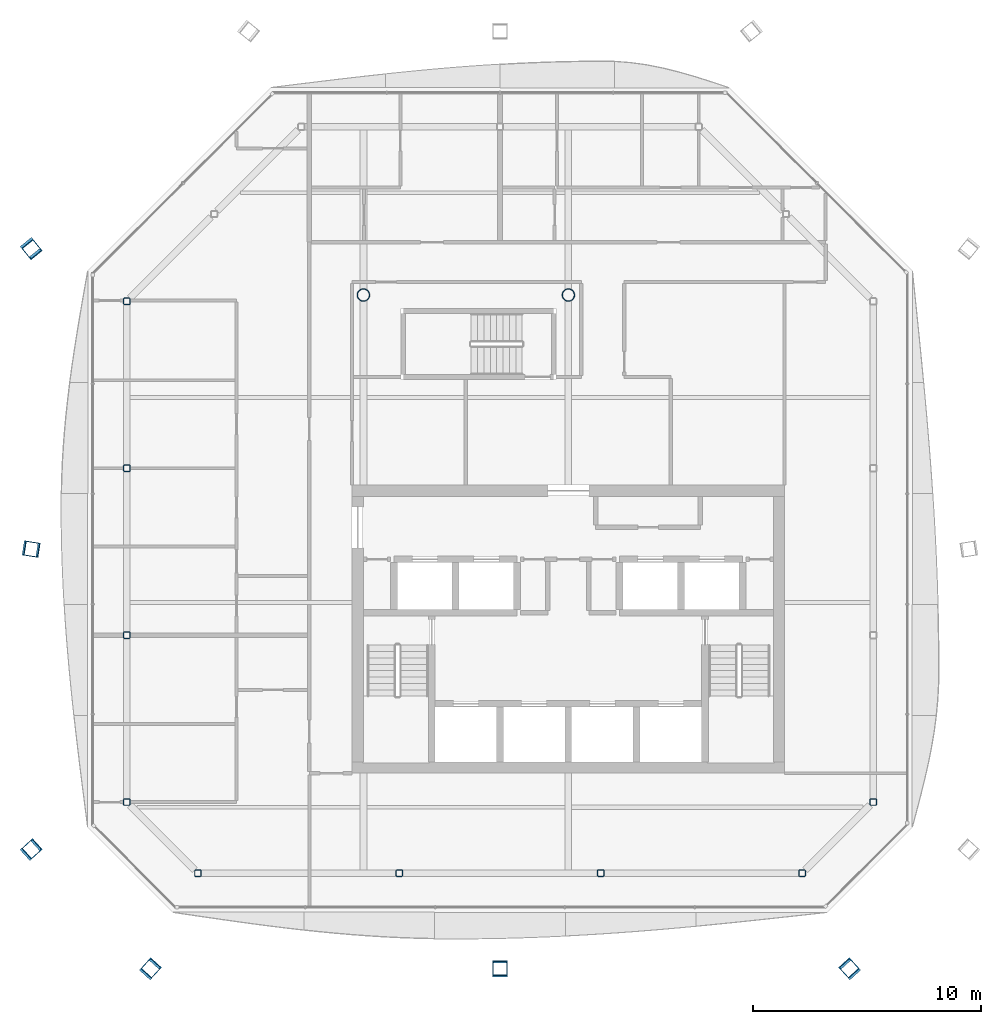
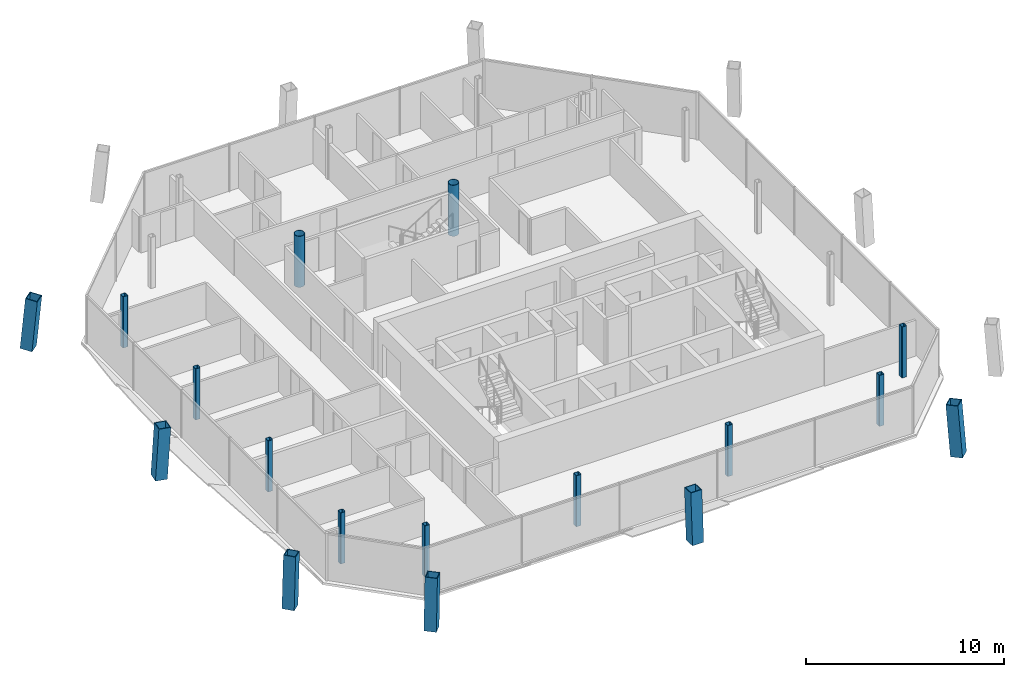
# One storey, part 1 of 15: 17 columns.
"""IFC4 building model written with IfcOpenShell, lengths in metres."""

from ifc_helpers import new_model, si_unit, direction, frame, origin, origin_2d, place, context, subcontext, project, spatial, hollow_rectangle, hollow_circle, extrude, material, material_profile, profile_set, type_object, element, save


model = new_model("IFC4")

# Units and contexts
model_context = context("Model", 3, precision=1e-05, world=origin(), true_north=direction((0.0, 1.0)))
body_context = subcontext(model_context, "Body", "Model", "MODEL_VIEW")
ifc_project = project(units=[si_unit("LENGTHUNIT", "METRE"), si_unit("AREAUNIT", "SQUARE_METRE"), si_unit("VOLUMEUNIT", "CUBIC_METRE"), si_unit("PLANEANGLEUNIT", "RADIAN"), si_unit("MASSUNIT", "GRAM", prefix="KILO")], contexts=[model_context])

# Site, building, storey
site_placement = place(None, origin())
site = spatial("IfcSite", under=ifc_project, at=site_placement, CompositionType="ELEMENT")
building_placement = place(site_placement, origin())
building = spatial("IfcBuilding", under=site, at=building_placement, Name="Tskaro Facet Tower", CompositionType="ELEMENT")
storey_placement = place(building_placement, frame((0.0, 0.0, 242.39990234375)))
storey = spatial("IfcBuildingStorey", under=building, at=storey_placement, Name="L63", CompositionType="ELEMENT", Elevation=242.39990234375)

# Columns
ifc_material_1 = material(Name="Steel S355J2", Category="steel")
ifc_material_profile_1 = material_profile(ifc_material_1, hollow_rectangle(XDim=0.64990234375, YDim=0.64990234375, WallThickness=0.0400390625, at=origin_2d()), Name="BOX 650x650x40")
ifc_profile_set_1 = profile_set([ifc_material_profile_1], Name="Steel S355J2")
column_type_1 = type_object("IfcColumnType", Name="BOX 650x650x40 mega column", PredefinedType="COLUMN", material=ifc_profile_set_1)
column_1_placement = place(storey_placement, frame((-18.385986328125, -20.6240234375, 0.0), z_axis=(0.052847648367, 0.057946982858, 0.996919893091), x_axis=(-0.738869281565, 0.673848784787, 0.0)))
element("IfcColumn", 1, at=column_1_placement, inside=storey, type_object=column_type_1, Name="BOX 650x650x40 MC01/5", PredefinedType="COLUMN", context=body_context, shape_type="SweptSolid", body=[
    extrude(hollow_rectangle(XDim=0.64990234375, YDim=0.64990234375, WallThickness=0.0400390625, at=origin_2d()), origin(), (0.0, 0.0, 1.0), 3.159912109375),
])
column_2_placement = place(storey_placement, frame((-3.0, -20.6240234375, 0.0), z_axis=(0.0, 0.058028072061, 0.998314951733), x_axis=(-1.0, 0.0, 0.0)))
element("IfcColumn", 2, at=column_2_placement, inside=storey, type_object=column_type_1, Name="BOX 650x650x40 MC02/5", PredefinedType="COLUMN", context=body_context, shape_type="SweptSolid", body=[
    extrude(hollow_rectangle(XDim=0.64990234375, YDim=0.64990234375, WallThickness=0.0400390625, at=origin_2d()), origin(), (0.0, 0.0, 1.0), 3.155517578125),
])
column_3_placement = place(storey_placement, frame((12.385986328125, -20.6240234375, 0.0), z_axis=(-0.052847648367, 0.057946982858, 0.996919893091), x_axis=(-0.738869281565, -0.673848784787, 0.0)))
element("IfcColumn", 3, at=column_3_placement, inside=storey, type_object=column_type_1, Name="BOX 650x650x40 MC03/5", PredefinedType="COLUMN", context=body_context, shape_type="SweptSolid", body=[
    extrude(hollow_rectangle(XDim=0.64990234375, YDim=0.64990234375, WallThickness=0.0400390625, at=origin_2d()), origin(), (0.0, 0.0, 1.0), 3.159912109375),
])
column_4_placement = place(storey_placement, frame((-23.6240234375, 11.08203125, 0.0), z_axis=(0.057879712392, -0.071462151567, 0.995762571995), x_axis=(0.777088504756, 0.629391337545, 0.0)))
element("IfcColumn", 4, at=column_4_placement, inside=storey, type_object=column_type_1, Name="BOX 650x650x40 MC10/5", PredefinedType="COLUMN", context=body_context, shape_type="SweptSolid", body=[
    extrude(hollow_rectangle(XDim=0.64990234375, YDim=0.64990234375, WallThickness=0.0400390625, at=origin_2d()), origin(), (0.0, 0.0, 1.0), 3.16357421875),
])
column_5_placement = place(storey_placement, frame((-23.6240234375, -2.152099609375, 0.0), z_axis=(0.058025653824, -0.009129369535, 0.998273348392), x_axis=(0.155421458417, 0.98784825265, 0.0)))
element("IfcColumn", 5, at=column_5_placement, inside=storey, type_object=column_type_1, Name="BOX 650x650x40 MC11/5", PredefinedType="COLUMN", context=body_context, shape_type="SweptSolid", body=[
    extrude(hollow_rectangle(XDim=0.64990234375, YDim=0.64990234375, WallThickness=0.0400390625, at=origin_2d()), origin(), (0.0, 0.0, 1.0), 3.155517578125),
])
column_6_placement = place(storey_placement, frame((-23.6240234375, -15.385986328125, 0.0), z_axis=(0.057946982858, 0.052847648367, 0.996919893091), x_axis=(-0.673848784787, 0.738869281565, 0.0)))
element("IfcColumn", 6, at=column_6_placement, inside=storey, type_object=column_type_1, Name="BOX 650x650x40 MC12/5", PredefinedType="COLUMN", context=body_context, shape_type="SweptSolid", body=[
    extrude(hollow_rectangle(XDim=0.64990234375, YDim=0.64990234375, WallThickness=0.0400390625, at=origin_2d()), origin(), (0.0, 0.0, 1.0), 3.159912109375),
])
ifc_material_2 = material(Name="Steel S355J2H", Category="steel")
ifc_material_profile_2 = material_profile(ifc_material_2, hollow_circle(Radius=0.279541015625, WallThickness=0.02490234375, at=origin_2d()), Name="CHS 559x25")
ifc_profile_set_2 = profile_set([ifc_material_profile_2], Name="Steel S355J2H")
column_type_2 = type_object("IfcColumnType", Name="CHS 559x25 interior column", PredefinedType="COLUMN", material=ifc_profile_set_2)
for number, where, z_axis, x_axis, name in (
    (7, (-9.0, 9.0, 0.0), (0.0, 0.0, 1.0), (1.0, 0.0, 0.0), "CHS 559x25 C3E/5"),
    (8, (0.0, 9.0, 0.0), (0.0, 0.0, 1.0), (1.0, 0.0, 0.0), "CHS 559x25 C4E/5"),
):
    element("IfcColumn", number, at=place(storey_placement, frame(where, z_axis=z_axis, x_axis=x_axis)), inside=storey, type_object=column_type_2, Name=name, PredefinedType="COLUMN", context=body_context, shape_type="SweptSolid", body=[
        extrude(hollow_circle(Radius=0.279541015625, WallThickness=0.02490234375, at=origin_2d()), origin(), (0.0, 0.0, 1.0), 3.150146484375),
    ])
ifc_material_profile_3 = material_profile(ifc_material_2, hollow_rectangle(XDim=0.300048828125, YDim=0.300048828125, WallThickness=0.02001953125, InnerFilletRadius=0.030029296875, OuterFilletRadius=0.050048828125, at=origin_2d()), Name="SHS 300x300x20")
ifc_profile_set_3 = profile_set([ifc_material_profile_3], Name="Steel S355J2H")
column_type_3 = type_object("IfcColumnType", Name="SHS 300x300x20 ring column", PredefinedType="COLUMN", material=ifc_profile_set_3)
for number, where, z_axis, x_axis, name in (
    (9, (-16.26806640625, -16.39111328125, 0.0), (0.0, 0.0, 1.0), (1.0, 0.0, 0.0), "SHS 300x300x20 RS-1/5"),
    (10, (-7.423095703125, -16.39111328125, 0.0), (0.0, 0.0, 1.0), (1.0, 0.0, 0.0), "SHS 300x300x20 RS-2/5"),
    (11, (1.423095703125, -16.39111328125, 0.0), (0.0, 0.0, 1.0), (1.0, 0.0, 0.0), "SHS 300x300x20 RS-3/5"),
    (12, (10.26806640625, -16.39111328125, 0.0), (0.0, 0.0, 1.0), (1.0, 0.0, 0.0), "SHS 300x300x20 RSE-1/5"),
    (13, (13.39111328125, -13.26806640625, 0.0), (0.0, 0.0, 1.0), (1.0, 0.0, 0.0), "SHS 300x300x20 RE-1/5"),
    (14, (-19.39111328125, 8.72509765625, 0.0), (0.0, 0.0, 1.0), (1.0, 0.0, 0.0), "SHS 300x300x20 RW-1/5"),
    (15, (-19.39111328125, 1.39404296875, 0.0), (0.0, 0.0, 1.0), (1.0, 0.0, 0.0), "SHS 300x300x20 RW-2/5"),
    (16, (-19.39111328125, -5.93701171875, 0.0), (0.0, 0.0, 1.0), (1.0, 0.0, 0.0), "SHS 300x300x20 RW-3/5"),
    (17, (-19.39111328125, -13.26806640625, 0.0), (0.0, 0.0, 1.0), (1.0, 0.0, 0.0), "SHS 300x300x20 RSW-1/5"),
):
    element("IfcColumn", number, at=place(storey_placement, frame(where, z_axis=z_axis, x_axis=x_axis)), inside=storey, type_object=column_type_3, Name=name, PredefinedType="COLUMN", context=body_context, shape_type="SweptSolid", body=[
        extrude(hollow_rectangle(XDim=0.300048828125, YDim=0.300048828125, WallThickness=0.02001953125, InnerFilletRadius=0.030029296875, OuterFilletRadius=0.050048828125, at=origin_2d()), origin(), (0.0, 0.0, 1.0), 3.150146484375),
    ])

save(model, "model.ifc")
